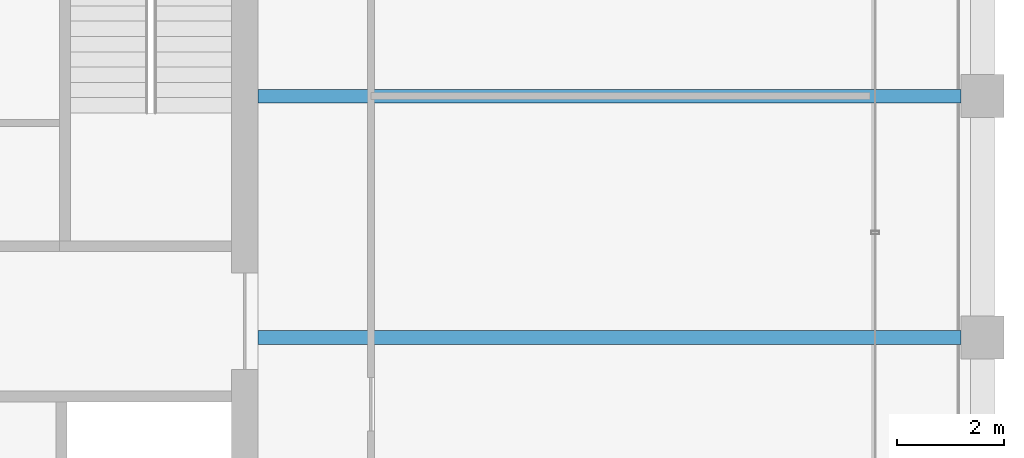
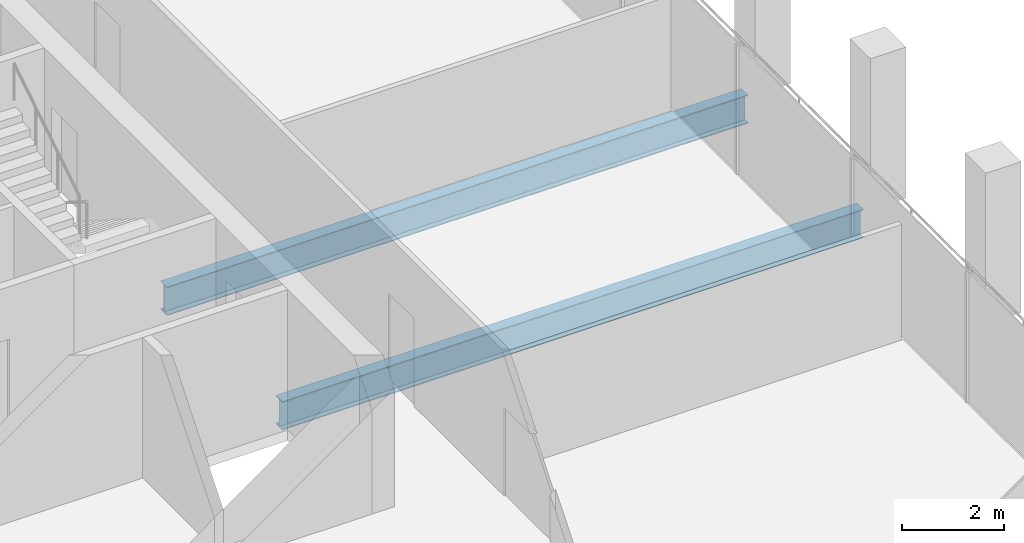
# One storey, part 16 of 30: 2 beams.
"""IFC4 building model written with IfcOpenShell, lengths in metres."""

import ifcopenshell
import ifcopenshell.guid

model = None  # the IFC model being written
_history = None  # IfcOwnerHistory: only IFC2X3 demands one
_inside = {}  # id of a spatial element -> (the spatial element, [elements in it])
_under = {}  # id of a project, library or spatial element -> (it, [spatial elements below it])
_declared = {}  # id of a project -> (the project, [libraries it declares])
_typed = {}  # id of a type object -> (the type object, [elements of that type])
_made_of = {}  # id of a material, layer set ... -> (it, [elements and type objects made of it])


def new_model(schema):
    """Start an empty IFC model of exactly this schema.

    Asked for "IFC4X3", IfcOpenShell would pick the latest addendum, in which some entities
    have other attributes; the version numbers below select the first issue.
    IFC2X3 requires an IfcOwnerHistory on every rooted entity: one is made here for all.
    """
    global model, _history
    if schema == "IFC4X3":
        model = ifcopenshell.file(schema_version=(4, 3, 0, 0))
    else:
        model = ifcopenshell.file(schema=schema)
    _inside.clear()
    _under.clear()
    _declared.clear()
    _typed.clear()
    _made_of.clear()
    _history = None
    if model.schema == "IFC2X3":
        org = make("IfcOrganization", Name="unknown")
        user = make(
            "IfcPersonAndOrganization",
            ThePerson=make("IfcPerson", FamilyName="unknown"),
            TheOrganization=org,
        )
        app = make(
            "IfcApplication",
            ApplicationDeveloper=org,
            Version="unknown",
            ApplicationFullName="unknown",
            ApplicationIdentifier="unknown",
        )
        _history = make(
            "IfcOwnerHistory",
            OwningUser=user,
            OwningApplication=app,
            ChangeAction="ADDED",
            CreationDate=0,
        )
    return model


def make(cls, **values):
    """One entity of the class cls with the attributes given. An attribute that is None is left unset."""
    return model.create_entity(
        cls, **{name: value for name, value in values.items() if value is not None}
    )


def rooted(cls, **values):
    """An entity with a GlobalId (a new one), such as an element, a storey or a relation."""
    return make(cls, GlobalId=ifcopenshell.guid.new(), OwnerHistory=_history, **values)


def si_unit(unit_type, name, prefix=None):
    """IfcSIUnit, for example si_unit("LENGTHUNIT", "METRE", prefix="MILLI")."""
    return make("IfcSIUnit", UnitType=unit_type, Prefix=prefix, Name=name)


def assignment(units):
    """IfcUnitAssignment: the units of a project."""
    return None if units is None else make("IfcUnitAssignment", Units=units)


def point(xyz):
    """IfcCartesianPoint."""
    return None if xyz is None else make("IfcCartesianPoint", Coordinates=xyz)


def direction(xyz):
    """IfcDirection."""
    return None if xyz is None else make("IfcDirection", DirectionRatios=xyz)


def frame(location, z_axis=None, x_axis=None):
    """IfcAxis2Placement3D, a coordinate frame: its origin and axes. An axis left out is left unset."""
    return make(
        "IfcAxis2Placement3D",
        Location=point(location),
        Axis=direction(z_axis),
        RefDirection=direction(x_axis),
    )


def frame_2d(location, x_axis=None):
    """IfcAxis2Placement2D, a coordinate frame in the plane: its origin and x axis."""
    return make(
        "IfcAxis2Placement2D", Location=point(location), RefDirection=direction(x_axis)
    )


def origin():
    """The frame at (0, 0, 0) with its axes left unset."""
    return frame((0.0, 0.0, 0.0))


def origin_2d():
    """The frame at (0, 0) in the plane with its x axis left unset."""
    return frame_2d((0.0, 0.0))


def place(relative_to, where):
    """IfcLocalPlacement: puts the frame where relative to a parent placement (None: the world)."""
    return make(
        "IfcLocalPlacement", PlacementRelTo=relative_to, RelativePlacement=where
    )


def context(
    kind, dimensions, precision=None, world=None, true_north=None, identifier=None
):
    """IfcGeometricRepresentationContext, for example the 3D "Model" context."""
    return make(
        "IfcGeometricRepresentationContext",
        ContextIdentifier=identifier,
        ContextType=kind,
        CoordinateSpaceDimension=dimensions,
        Precision=precision,
        WorldCoordinateSystem=world,
        TrueNorth=true_north,
    )


def subcontext(parent, identifier, kind, view, scale=None):
    """IfcGeometricRepresentationSubContext, for example "Body" below "Model"."""
    return make(
        "IfcGeometricRepresentationSubContext",
        ContextIdentifier=identifier,
        ContextType=kind,
        ParentContext=parent,
        TargetScale=scale,
        TargetView=view,
    )


def project(units=None, contexts=None):
    """IfcProject with its units and contexts."""
    return rooted(
        "IfcProject",
        Name="project",
        RepresentationContexts=contexts,
        UnitsInContext=assignment(units),
    )


def spatial(cls, under=None, at=None, **own):
    """A site, building, storey or space (cls), placed at a placement, below another one or the project."""
    s = rooted(cls, ObjectPlacement=at, **own)
    if under is not None:
        _under.setdefault(under.id(), (under, []))[1].append(s)
    return s


def profile(cls, at=None, kind="AREA", **sizes):
    """A parametric profile (cls). Its sizes go by their IFC names, for example OverallWidth=200.0."""
    return make(cls, ProfileType=kind, Position=at, **sizes)


def i_section(**sizes):
    """IfcIShapeProfileDef."""
    return profile("IfcIShapeProfileDef", **sizes)


def extrude(swept, where, along, depth):
    """IfcExtrudedAreaSolid: the profile swept, set in the frame where, extruded along a direction by depth."""
    return make(
        "IfcExtrudedAreaSolid",
        SweptArea=swept,
        Position=where,
        ExtrudedDirection=direction(along),
        Depth=depth,
    )


def shape(context_of_items, identifier, shape_type, items):
    """IfcShapeRepresentation: the items that make up one representation, for example the "Body"."""
    return make(
        "IfcShapeRepresentation",
        ContextOfItems=context_of_items,
        RepresentationIdentifier=identifier,
        RepresentationType=shape_type,
        Items=items,
    )


def material(Name=None, Category=None):
    """IfcMaterial."""
    return make("IfcMaterial", Name=Name, Category=Category)


def material_profile(
    of_material, cross_section, Name=None, Category=None, Priority=None
):
    """IfcMaterialProfile: a cross section and its material."""
    return make(
        "IfcMaterialProfile",
        Name=Name,
        Material=of_material,
        Profile=cross_section,
        Priority=Priority,
        Category=Category,
    )


def profile_set(profiles, Name=None, composite=None):
    """IfcMaterialProfileSet."""
    return make(
        "IfcMaterialProfileSet",
        Name=Name,
        MaterialProfiles=profiles,
        CompositeProfile=composite,
    )


def made_of(thing, what):
    """Note that an element or type object is made of a material, layer set ...; save() writes the relation."""
    if what is not None:
        _made_of.setdefault(what.id(), (what, []))[1].append(thing)
    return thing


def type_object(cls, material=None, **own):
    """A type object (cls), such as IfcWallType, which elements share."""
    return made_of(rooted(cls, **own), material)


def element(
    cls,
    number,
    at=None,
    inside=None,
    cuts=None,
    type_object=None,
    material=None,
    context=None,
    identifier="Body",
    shape_type=None,
    held_by="IfcProductDefinitionShape",
    body=None,
    shapes=None,
    **own,
):
    """One element of the class cls, such as IfcWall. Its Tag is "e" and its number.

    at: its placement. inside: the storey or other place that contains it. cuts: it is an
    opening in that element (IfcRelVoidsElement). A single representation is given by context,
    identifier, shape_type and body (its items); several are given by shapes. held_by: the class
    of the entity that holds the representations. save() writes the other relations.
    """
    e = rooted(cls, Tag="e%d" % number, ObjectPlacement=at, **own)
    if body is not None:
        shapes = [shape(context, identifier, shape_type, body)]
    if shapes is not None:
        e.Representation = make(held_by, Representations=shapes)
    if inside is not None:
        _inside.setdefault(inside.id(), (inside, []))[1].append(e)
    if cuts is not None:
        rooted(
            "IfcRelVoidsElement", RelatingBuildingElement=cuts, RelatedOpeningElement=e
        )
    if type_object is not None:
        _typed.setdefault(type_object.id(), (type_object, []))[1].append(e)
    return made_of(e, material)


def aggregate(whole, parts):
    """IfcRelAggregates: a whole, such as a stair, and the parts it consists of."""
    return rooted("IfcRelAggregates", RelatingObject=whole, RelatedObjects=parts)


def save(model, path):
    """Write the relations noted so far, then the file.

    IfcRelAggregates (storeys below a building ...), IfcRelContainedInSpatialStructure (elements
    in a storey), IfcRelDefinesByType, IfcRelAssociatesMaterial and IfcRelDeclares: one each for
    every whole, place, type object, material and project.
    """
    for whole, parts in _under.values():
        aggregate(whole, parts)
    for where, things in _inside.values():
        rooted(
            "IfcRelContainedInSpatialStructure",
            RelatedElements=things,
            RelatingStructure=where,
        )
    for kind, things in _typed.values():
        rooted("IfcRelDefinesByType", RelatedObjects=things, RelatingType=kind)
    for what, things in _made_of.values():
        rooted("IfcRelAssociatesMaterial", RelatedObjects=things, RelatingMaterial=what)
    for by, libraries in _declared.values():
        rooted("IfcRelDeclares", RelatingContext=by, RelatedDefinitions=libraries)
    model.write(path)


model = new_model("IFC4")

# Units and contexts
model_context = context("Model", 3, precision=1e-05, world=origin(), true_north=direction((0.0, 1.0)))
body_context = subcontext(model_context, "Body", "Model", "MODEL_VIEW")
ifc_project = project(units=[si_unit("LENGTHUNIT", "METRE"), si_unit("AREAUNIT", "SQUARE_METRE"), si_unit("VOLUMEUNIT", "CUBIC_METRE"), si_unit("PLANEANGLEUNIT", "RADIAN"), si_unit("MASSUNIT", "GRAM", prefix="KILO")], contexts=[model_context])

# Site, building, storey
site_placement = place(None, origin())
site = spatial("IfcSite", under=ifc_project, at=site_placement, CompositionType="ELEMENT")
building_placement = place(site_placement, origin())
building = spatial("IfcBuilding", under=site, at=building_placement, Name="Altepetl Exchange Towers", CompositionType="ELEMENT")
storey_placement = place(building_placement, frame((0.0, 0.0, 231.60009765625)))
storey = spatial("IfcBuildingStorey", under=building, at=storey_placement, Name="L59", CompositionType="ELEMENT", Elevation=231.60009765625)

# Beams
ifc_material = material(Name="Steel S355", Category="steel")
ifc_material_profile = material_profile(ifc_material, i_section(OverallWidth=0.2529296875, OverallDepth=0.677978515625, WebThickness=0.01171875, FlangeThickness=0.016357421875, at=origin_2d()), Name="W27X84")
ifc_profile_set = profile_set([ifc_material_profile], Name="Steel S355")
beam_type = type_object("IfcBeamType", Name="Floor beam W27X84", PredefinedType="BEAM", material=ifc_profile_set)
for number, where, z_axis, x_axis, name in (
    (1, (58.5, 45.0, -0.489013671875), (1.0, 0.0, 0.0), (0.0, 1.0, 0.0), "bm:A:L59:009"),
    (2, (58.5, 49.5, -0.489013671875), (1.0, 0.0, 0.0), (0.0, 1.0, 0.0), "bm:A:L59:010"),
):
    element("IfcBeam", number, at=place(storey_placement, frame(where, z_axis=z_axis, x_axis=x_axis)), inside=storey, type_object=beam_type, Name=name, PredefinedType="BEAM", context=body_context, shape_type="SweptSolid", body=[
        extrude(i_section(OverallWidth=0.2529296875, OverallDepth=0.677978515625, WebThickness=0.01171875, FlangeThickness=0.016357421875, at=origin_2d()), origin(), (0.0, 0.0, 1.0), 13.10009765625),
    ])

save(model, "model.ifc")
